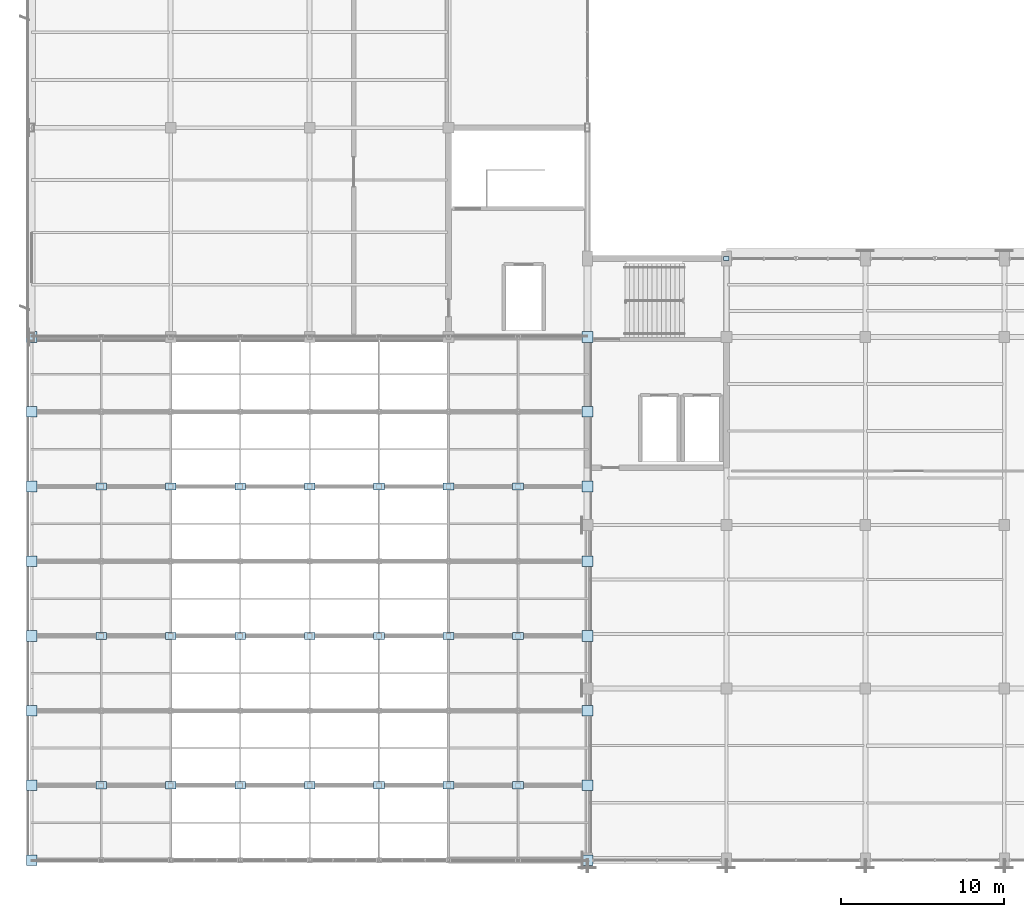
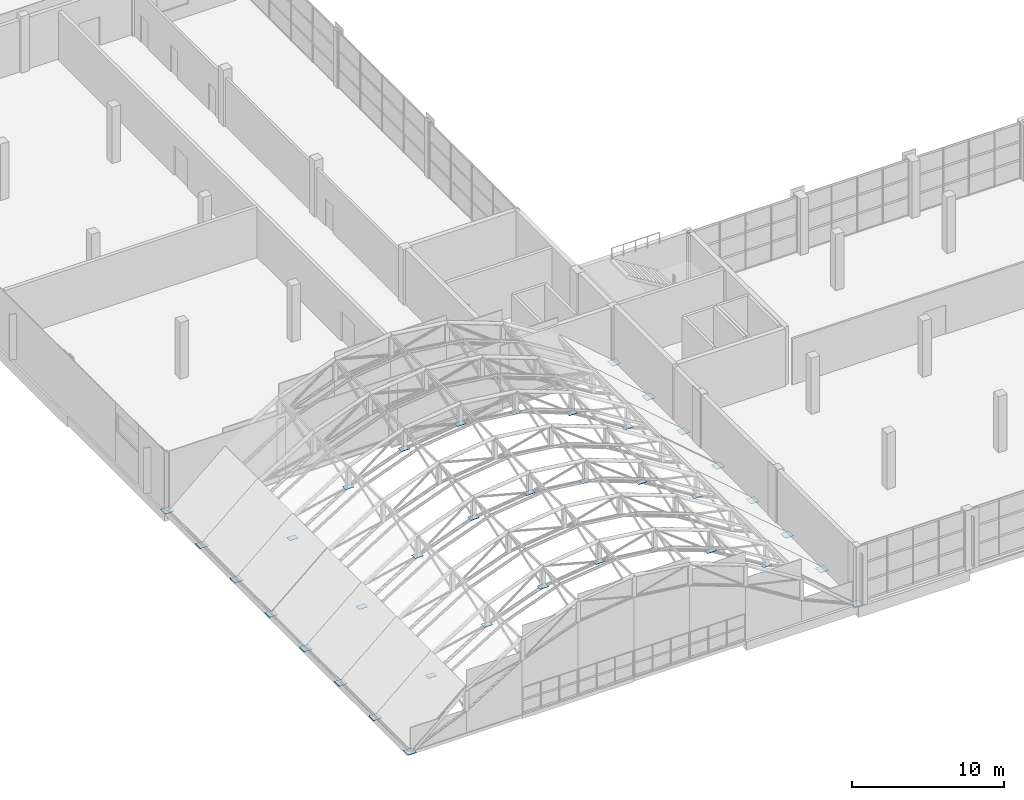
# One storey, part 64 of 86: 38 plates.
"""IFC4 building model written with IfcOpenShell, lengths in metres."""

from ifc_helpers import new_model, si_unit, direction, frame, origin, origin_2d, place, context, subcontext, project, spatial, rectangle, extrude, material, layer, layer_set, type_object, element, save


model = new_model("IFC4")

# Units and contexts
model_context = context("Model", 3, precision=1e-05, world=origin(), true_north=direction((0.0, 1.0)))
body_context = subcontext(model_context, "Body", "Model", "MODEL_VIEW")
ifc_project = project(units=[si_unit("LENGTHUNIT", "METRE"), si_unit("AREAUNIT", "SQUARE_METRE"), si_unit("VOLUMEUNIT", "CUBIC_METRE"), si_unit("PLANEANGLEUNIT", "RADIAN"), si_unit("MASSUNIT", "GRAM", prefix="KILO")], contexts=[model_context])

# Site, building, storey
site_placement = place(None, origin())
site = spatial("IfcSite", under=ifc_project, at=site_placement, CompositionType="ELEMENT")
building_placement = place(site_placement, origin())
building = spatial("IfcBuilding", under=site, at=building_placement, Name="Solvikara Media Centre", CompositionType="ELEMENT")
storey_placement = place(building_placement, frame((0.0, 0.0, 15.0)))
storey = spatial("IfcBuildingStorey", under=building, at=storey_placement, Name="L03", CompositionType="ELEMENT", Elevation=15.0)

# Plates
ifc_material = material(Name="Steel S355JR", Category="steel")
ifc_layer_1 = layer(ifc_material, 0.02392578125)
ifc_layer_set_1 = layer_set([ifc_layer_1], Name="Steel S355JR")
plate_type_1 = type_object("IfcPlateType", Name="PL-02", PredefinedType="USERDEFINED", material=ifc_layer_set_1)
for number, where, z_axis, x_axis, name in (
    (1, (4.25, 4.571044921875, 1.718017578125), (0.0, 0.0, 1.0), (1.0, 0.0, 0.0), "GP-GC-01-01"),
    (2, (8.5, 4.571044921875, 4.343017578125), (0.0, 0.0, 1.0), (1.0, 0.0, 0.0), "GP-GC-01-02"),
    (3, (12.75, 4.571044921875, 5.91796875), (0.0, 0.0, 1.0), (1.0, 0.0, 0.0), "GP-GC-01-03"),
    (4, (17.0, 4.571044921875, 6.443115234375), (0.0, 0.0, 1.0), (1.0, 0.0, 0.0), "GP-GC-01-04"),
    (5, (21.25, 4.571044921875, 5.91796875), (0.0, 0.0, 1.0), (1.0, 0.0, 0.0), "GP-GC-01-05"),
    (6, (25.5, 4.571044921875, 4.343017578125), (0.0, 0.0, 1.0), (1.0, 0.0, 0.0), "GP-GC-01-06"),
    (7, (29.75, 4.571044921875, 1.718017578125), (0.0, 0.0, 1.0), (1.0, 0.0, 0.0), "GP-GC-01-07"),
    (8, (4.25, 13.714111328125, 1.718017578125), (0.0, 0.0, 1.0), (1.0, 0.0, 0.0), "GP-GC-03-01"),
    (9, (8.5, 13.714111328125, 4.343017578125), (0.0, 0.0, 1.0), (1.0, 0.0, 0.0), "GP-GC-03-02"),
    (10, (12.75, 13.714111328125, 5.91796875), (0.0, 0.0, 1.0), (1.0, 0.0, 0.0), "GP-GC-03-03"),
    (11, (17.0, 13.714111328125, 6.443115234375), (0.0, 0.0, 1.0), (1.0, 0.0, 0.0), "GP-GC-03-04"),
    (12, (21.25, 13.714111328125, 5.91796875), (0.0, 0.0, 1.0), (1.0, 0.0, 0.0), "GP-GC-03-05"),
    (13, (25.5, 13.714111328125, 4.343017578125), (0.0, 0.0, 1.0), (1.0, 0.0, 0.0), "GP-GC-03-06"),
    (14, (29.75, 13.714111328125, 1.718017578125), (0.0, 0.0, 1.0), (1.0, 0.0, 0.0), "GP-GC-03-07"),
    (15, (4.25, 22.85693359375, 1.718017578125), (0.0, 0.0, 1.0), (1.0, 0.0, 0.0), "GP-GC-05-01"),
    (16, (8.5, 22.85693359375, 4.343017578125), (0.0, 0.0, 1.0), (1.0, 0.0, 0.0), "GP-GC-05-02"),
    (17, (12.75, 22.85693359375, 5.91796875), (0.0, 0.0, 1.0), (1.0, 0.0, 0.0), "GP-GC-05-03"),
    (18, (17.0, 22.85693359375, 6.443115234375), (0.0, 0.0, 1.0), (1.0, 0.0, 0.0), "GP-GC-05-04"),
    (19, (21.25, 22.85693359375, 5.91796875), (0.0, 0.0, 1.0), (1.0, 0.0, 0.0), "GP-GC-05-05"),
    (20, (25.5, 22.85693359375, 4.343017578125), (0.0, 0.0, 1.0), (1.0, 0.0, 0.0), "GP-GC-05-06"),
    (21, (29.75, 22.85693359375, 1.718017578125), (0.0, 0.0, 1.0), (1.0, 0.0, 0.0), "GP-GC-05-07"),
):
    element("IfcPlate", number, at=place(storey_placement, frame(where, z_axis=z_axis, x_axis=x_axis)), inside=storey, type_object=plate_type_1, Name=name, ObjectType="GUSSET PLATE", PredefinedType="USERDEFINED", context=body_context, shape_type="SweptSolid", body=[
        extrude(rectangle(XDim=0.64990234375, YDim=0.449951171875, at=origin_2d()), origin(), (0.0, 0.0, 1.0), 0.02392578125),
    ])
ifc_layer_2 = layer(ifc_material, 0.028076171875)
ifc_layer_set_2 = layer_set([ifc_layer_2], Name="Steel S355JR")
plate_type_2 = type_object("IfcPlateType", Name="PL-07", PredefinedType="USERDEFINED", material=ifc_layer_set_2)
for number, where, z_axis, x_axis, name in (
    (22, (0.0, 0.0, -0.13427734375), (0.0, 0.0, 1.0), (1.0, 0.0, 0.0), "BP-GC-W00"),
    (23, (34.0, 0.0, -0.13427734375), (0.0, 0.0, 1.0), (1.0, 0.0, 0.0), "BP-GC-E00"),
    (24, (0.0, 4.571044921875, -0.13427734375), (0.0, 0.0, 1.0), (1.0, 0.0, 0.0), "BP-GC-W01"),
    (25, (34.0, 4.571044921875, -0.13427734375), (0.0, 0.0, 1.0), (1.0, 0.0, 0.0), "BP-GC-E01"),
    (26, (0.0, 9.14306640625, -0.13427734375), (0.0, 0.0, 1.0), (1.0, 0.0, 0.0), "BP-GC-W02"),
    (27, (34.0, 9.14306640625, -0.13427734375), (0.0, 0.0, 1.0), (1.0, 0.0, 0.0), "BP-GC-E02"),
    (28, (0.0, 13.714111328125, -0.13427734375), (0.0, 0.0, 1.0), (1.0, 0.0, 0.0), "BP-GC-W03"),
    (29, (34.0, 13.714111328125, -0.13427734375), (0.0, 0.0, 1.0), (1.0, 0.0, 0.0), "BP-GC-E03"),
    (30, (0.0, 18.285888671875, -0.13427734375), (0.0, 0.0, 1.0), (1.0, 0.0, 0.0), "BP-GC-W04"),
    (31, (34.0, 18.285888671875, -0.13427734375), (0.0, 0.0, 1.0), (1.0, 0.0, 0.0), "BP-GC-E04"),
    (32, (0.0, 22.85693359375, -0.13427734375), (0.0, 0.0, 1.0), (1.0, 0.0, 0.0), "BP-GC-W05"),
    (33, (34.0, 22.85693359375, -0.13427734375), (0.0, 0.0, 1.0), (1.0, 0.0, 0.0), "BP-GC-E05"),
    (34, (0.0, 27.428955078125, -0.13427734375), (0.0, 0.0, 1.0), (1.0, 0.0, 0.0), "BP-GC-W06"),
    (35, (34.0, 27.428955078125, -0.13427734375), (0.0, 0.0, 1.0), (1.0, 0.0, 0.0), "BP-GC-E06"),
    (36, (0.0, 32.0, -0.13427734375), (0.0, 0.0, 1.0), (1.0, 0.0, 0.0), "BP-GC-W07"),
    (37, (34.0, 32.0, -0.13427734375), (0.0, 0.0, 1.0), (1.0, 0.0, 0.0), "BP-GC-E07"),
):
    element("IfcPlate", number, at=place(storey_placement, frame(where, z_axis=z_axis, x_axis=x_axis)), inside=storey, type_object=plate_type_2, Name=name, ObjectType="BASE PLATE", PredefinedType="USERDEFINED", context=body_context, shape_type="SweptSolid", body=[
        extrude(rectangle(XDim=0.64990234375, YDim=0.64990234375, at=origin_2d()), origin(), (0.0, 0.0, 1.0), 0.028076171875),
    ])
ifc_layer_3 = layer(ifc_material, 0.01806640625)
ifc_layer_set_3 = layer_set([ifc_layer_3], Name="Steel S355JR")
plate_type_3 = type_object("IfcPlateType", Name="PL-10", PredefinedType="USERDEFINED", material=ifc_layer_set_3)
plate_placement = place(storey_placement, frame((42.5, 36.800048828125, 4.490966796875), z_axis=(0.0, 0.0, 1.0), x_axis=(1.0, 0.0, 0.0)))
element("IfcPlate", 38, at=plate_placement, inside=storey, type_object=plate_type_3, Name="ECP-PL10-04", ObjectType="GUSSET PLATE", PredefinedType="USERDEFINED", context=body_context, shape_type="SweptSolid", body=[
    extrude(rectangle(XDim=0.340087890625, YDim=0.239990234375, at=origin_2d()), origin(), (0.0, 0.0, 1.0), 0.01806640625),
])

save(model, "model.ifc")
